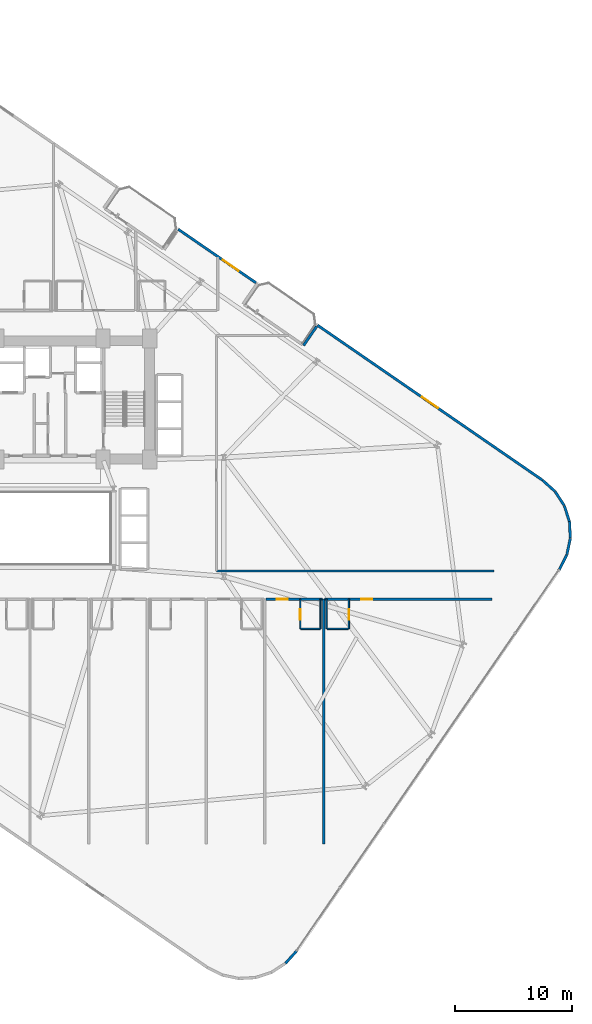
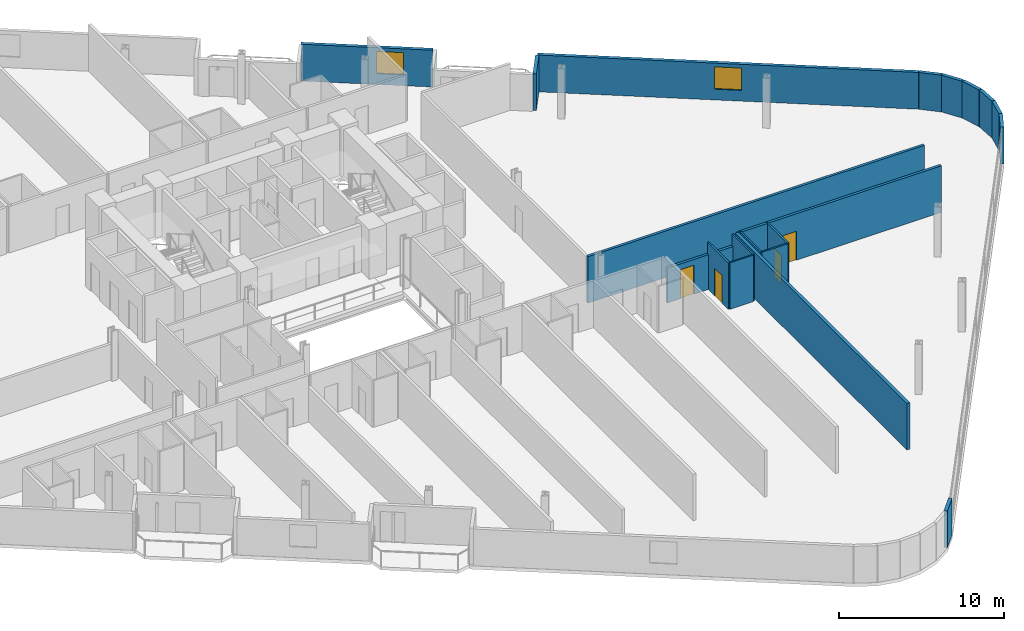
# One storey, part 21 of 25: 20 walls, 4 doors, 2 windows, 6 openings.
"""IFC4 building model written with IfcOpenShell, lengths in metres."""

import ifcopenshell
import ifcopenshell.guid

model = None  # the IFC model being written
_history = None  # IfcOwnerHistory: only IFC2X3 demands one
_inside = {}  # id of a spatial element -> (the spatial element, [elements in it])
_under = {}  # id of a project, library or spatial element -> (it, [spatial elements below it])
_declared = {}  # id of a project -> (the project, [libraries it declares])
_typed = {}  # id of a type object -> (the type object, [elements of that type])
_made_of = {}  # id of a material, layer set ... -> (it, [elements and type objects made of it])


def new_model(schema):
    """Start an empty IFC model of exactly this schema.

    Asked for "IFC4X3", IfcOpenShell would pick the latest addendum, in which some entities
    have other attributes; the version numbers below select the first issue.
    IFC2X3 requires an IfcOwnerHistory on every rooted entity: one is made here for all.
    """
    global model, _history
    if schema == "IFC4X3":
        model = ifcopenshell.file(schema_version=(4, 3, 0, 0))
    else:
        model = ifcopenshell.file(schema=schema)
    _inside.clear()
    _under.clear()
    _declared.clear()
    _typed.clear()
    _made_of.clear()
    _history = None
    if model.schema == "IFC2X3":
        org = make("IfcOrganization", Name="unknown")
        user = make(
            "IfcPersonAndOrganization",
            ThePerson=make("IfcPerson", FamilyName="unknown"),
            TheOrganization=org,
        )
        app = make(
            "IfcApplication",
            ApplicationDeveloper=org,
            Version="unknown",
            ApplicationFullName="unknown",
            ApplicationIdentifier="unknown",
        )
        _history = make(
            "IfcOwnerHistory",
            OwningUser=user,
            OwningApplication=app,
            ChangeAction="ADDED",
            CreationDate=0,
        )
    return model


def make(cls, **values):
    """One entity of the class cls with the attributes given. An attribute that is None is left unset."""
    return model.create_entity(
        cls, **{name: value for name, value in values.items() if value is not None}
    )


def rooted(cls, **values):
    """An entity with a GlobalId (a new one), such as an element, a storey or a relation."""
    return make(cls, GlobalId=ifcopenshell.guid.new(), OwnerHistory=_history, **values)


def si_unit(unit_type, name, prefix=None):
    """IfcSIUnit, for example si_unit("LENGTHUNIT", "METRE", prefix="MILLI")."""
    return make("IfcSIUnit", UnitType=unit_type, Prefix=prefix, Name=name)


def assignment(units):
    """IfcUnitAssignment: the units of a project."""
    return None if units is None else make("IfcUnitAssignment", Units=units)


def point(xyz):
    """IfcCartesianPoint."""
    return None if xyz is None else make("IfcCartesianPoint", Coordinates=xyz)


def direction(xyz):
    """IfcDirection."""
    return None if xyz is None else make("IfcDirection", DirectionRatios=xyz)


def frame(location, z_axis=None, x_axis=None):
    """IfcAxis2Placement3D, a coordinate frame: its origin and axes. An axis left out is left unset."""
    return make(
        "IfcAxis2Placement3D",
        Location=point(location),
        Axis=direction(z_axis),
        RefDirection=direction(x_axis),
    )


def frame_2d(location, x_axis=None):
    """IfcAxis2Placement2D, a coordinate frame in the plane: its origin and x axis."""
    return make(
        "IfcAxis2Placement2D", Location=point(location), RefDirection=direction(x_axis)
    )


def origin():
    """The frame at (0, 0, 0) with its axes left unset."""
    return frame((0.0, 0.0, 0.0))


def place(relative_to, where):
    """IfcLocalPlacement: puts the frame where relative to a parent placement (None: the world)."""
    return make(
        "IfcLocalPlacement", PlacementRelTo=relative_to, RelativePlacement=where
    )


def context(
    kind, dimensions, precision=None, world=None, true_north=None, identifier=None
):
    """IfcGeometricRepresentationContext, for example the 3D "Model" context."""
    return make(
        "IfcGeometricRepresentationContext",
        ContextIdentifier=identifier,
        ContextType=kind,
        CoordinateSpaceDimension=dimensions,
        Precision=precision,
        WorldCoordinateSystem=world,
        TrueNorth=true_north,
    )


def subcontext(parent, identifier, kind, view, scale=None):
    """IfcGeometricRepresentationSubContext, for example "Body" below "Model"."""
    return make(
        "IfcGeometricRepresentationSubContext",
        ContextIdentifier=identifier,
        ContextType=kind,
        ParentContext=parent,
        TargetScale=scale,
        TargetView=view,
    )


def project(units=None, contexts=None):
    """IfcProject with its units and contexts."""
    return rooted(
        "IfcProject",
        Name="project",
        RepresentationContexts=contexts,
        UnitsInContext=assignment(units),
    )


def spatial(cls, under=None, at=None, **own):
    """A site, building, storey or space (cls), placed at a placement, below another one or the project."""
    s = rooted(cls, ObjectPlacement=at, **own)
    if under is not None:
        _under.setdefault(under.id(), (under, []))[1].append(s)
    return s


def profile(cls, at=None, kind="AREA", **sizes):
    """A parametric profile (cls). Its sizes go by their IFC names, for example OverallWidth=200.0."""
    return make(cls, ProfileType=kind, Position=at, **sizes)


def rectangle(**sizes):
    """IfcRectangleProfileDef."""
    return profile("IfcRectangleProfileDef", **sizes)


def extrude(swept, where, along, depth):
    """IfcExtrudedAreaSolid: the profile swept, set in the frame where, extruded along a direction by depth."""
    return make(
        "IfcExtrudedAreaSolid",
        SweptArea=swept,
        Position=where,
        ExtrudedDirection=direction(along),
        Depth=depth,
    )


def shape(context_of_items, identifier, shape_type, items):
    """IfcShapeRepresentation: the items that make up one representation, for example the "Body"."""
    return make(
        "IfcShapeRepresentation",
        ContextOfItems=context_of_items,
        RepresentationIdentifier=identifier,
        RepresentationType=shape_type,
        Items=items,
    )


def material(Name=None, Category=None):
    """IfcMaterial."""
    return make("IfcMaterial", Name=Name, Category=Category)


def layer(
    of_material, thickness, ventilated=None, Name=None, Category=None, Priority=None
):
    """IfcMaterialLayer: one layer of a wall or slab, of a material (None: an air gap)."""
    return make(
        "IfcMaterialLayer",
        Material=of_material,
        LayerThickness=thickness,
        IsVentilated=ventilated,
        Name=Name,
        Category=Category,
        Priority=Priority,
    )


def layer_set(layers, Name=None):
    """IfcMaterialLayerSet."""
    return make("IfcMaterialLayerSet", MaterialLayers=layers, LayerSetName=Name)


def made_of(thing, what):
    """Note that an element or type object is made of a material, layer set ...; save() writes the relation."""
    if what is not None:
        _made_of.setdefault(what.id(), (what, []))[1].append(thing)
    return thing


def type_object(cls, material=None, **own):
    """A type object (cls), such as IfcWallType, which elements share."""
    return made_of(rooted(cls, **own), material)


def element(
    cls,
    number,
    at=None,
    inside=None,
    cuts=None,
    type_object=None,
    material=None,
    context=None,
    identifier="Body",
    shape_type=None,
    held_by="IfcProductDefinitionShape",
    body=None,
    shapes=None,
    **own,
):
    """One element of the class cls, such as IfcWall. Its Tag is "e" and its number.

    at: its placement. inside: the storey or other place that contains it. cuts: it is an
    opening in that element (IfcRelVoidsElement). A single representation is given by context,
    identifier, shape_type and body (its items); several are given by shapes. held_by: the class
    of the entity that holds the representations. save() writes the other relations.
    """
    e = rooted(cls, Tag="e%d" % number, ObjectPlacement=at, **own)
    if body is not None:
        shapes = [shape(context, identifier, shape_type, body)]
    if shapes is not None:
        e.Representation = make(held_by, Representations=shapes)
    if inside is not None:
        _inside.setdefault(inside.id(), (inside, []))[1].append(e)
    if cuts is not None:
        rooted(
            "IfcRelVoidsElement", RelatingBuildingElement=cuts, RelatedOpeningElement=e
        )
    if type_object is not None:
        _typed.setdefault(type_object.id(), (type_object, []))[1].append(e)
    return made_of(e, material)


def fill(opening, filler):
    """IfcRelFillsElement: the door or window that sits in an opening."""
    return rooted(
        "IfcRelFillsElement",
        RelatingOpeningElement=opening,
        RelatedBuildingElement=filler,
    )


def aggregate(whole, parts):
    """IfcRelAggregates: a whole, such as a stair, and the parts it consists of."""
    return rooted("IfcRelAggregates", RelatingObject=whole, RelatedObjects=parts)


def save(model, path):
    """Write the relations noted so far, then the file.

    IfcRelAggregates (storeys below a building ...), IfcRelContainedInSpatialStructure (elements
    in a storey), IfcRelDefinesByType, IfcRelAssociatesMaterial and IfcRelDeclares: one each for
    every whole, place, type object, material and project.
    """
    for whole, parts in _under.values():
        aggregate(whole, parts)
    for where, things in _inside.values():
        rooted(
            "IfcRelContainedInSpatialStructure",
            RelatedElements=things,
            RelatingStructure=where,
        )
    for kind, things in _typed.values():
        rooted("IfcRelDefinesByType", RelatedObjects=things, RelatingType=kind)
    for what, things in _made_of.values():
        rooted("IfcRelAssociatesMaterial", RelatedObjects=things, RelatingMaterial=what)
    for by, libraries in _declared.values():
        rooted("IfcRelDeclares", RelatingContext=by, RelatedDefinitions=libraries)
    model.write(path)


model = new_model("IFC4")

# Units and contexts
model_context = context("Model", 3, precision=1e-05, world=origin(), true_north=direction((0.0, 1.0)))
body_context = subcontext(model_context, "Body", "Model", "MODEL_VIEW")
ifc_project = project(units=[si_unit("LENGTHUNIT", "METRE"), si_unit("AREAUNIT", "SQUARE_METRE"), si_unit("VOLUMEUNIT", "CUBIC_METRE"), si_unit("PLANEANGLEUNIT", "RADIAN"), si_unit("MASSUNIT", "GRAM", prefix="KILO")], contexts=[model_context])

# Site, building, storey
site_placement = place(None, origin())
site = spatial("IfcSite", under=ifc_project, at=site_placement, CompositionType="ELEMENT")
building_placement = place(site_placement, origin())
building = spatial("IfcBuilding", under=site, at=building_placement, Name="Varnelok Gate Tower", CompositionType="ELEMENT")
storey_placement = place(building_placement, frame((0.0, 0.0, 34.39990234375)))
storey = spatial("IfcBuildingStorey", under=building, at=storey_placement, Name="L07", CompositionType="ELEMENT", Elevation=34.39990234375)

# Walls
ifc_material_1 = material(Name="Concrete C45/55", Category="concrete")
ifc_layer_1 = layer(ifc_material_1, 0.219970703125)
ifc_layer_set_1 = layer_set([ifc_layer_1], Name="Concrete C45/55")
wall_type_1 = type_object("IfcWallType", Name="EW-BALC-220", PredefinedType="SOLIDWALL", material=ifc_layer_set_1)
wall_1_placement = place(storey_placement, frame((59.26611328125, -14.13525390625, 0.0), z_axis=(0.0, 0.0, 1.0), x_axis=(0.669866433955, 0.742481623113, 0.0)))
element("IfcWall", 1, at=wall_1_placement, inside=storey, type_object=wall_type_1, Name="L07 Perimeter Facade Closure Wall 19", PredefinedType="SOLIDWALL", context=body_context, shape_type="SweptSolid", body=[
    extrude(rectangle(XDim=1.4052734375, YDim=0.219970703125, at=frame_2d((0.70263671875, 0.0))), origin(), (0.0, 0.0, 1.0), 2.72998046875),
])
wall_2_placement = place(storey_placement, frame((82.55810546875, 19.355224609375, 0.0), z_axis=(0.0, 0.0, 1.0), x_axis=(0.454777156549, 0.890605264908, 0.0)))
element("IfcWall", 2, at=wall_2_placement, inside=storey, type_object=wall_type_1, Name="L07 Perimeter Facade Closure Wall 20", PredefinedType="SOLIDWALL", context=body_context, shape_type="SweptSolid", body=[
    extrude(rectangle(XDim=1.43017578125, YDim=0.219970703125, at=frame_2d((0.715087890625, 0.0))), origin(), (0.0, 0.0, 1.0), 2.72998046875),
])
wall_3_placement = place(storey_placement, frame((83.2138671875, 20.653564453125, 0.0), z_axis=(0.0, 0.0, 1.0), x_axis=(0.208829011645, 0.977952168511, 0.0)))
element("IfcWall", 3, at=wall_3_placement, inside=storey, type_object=wall_type_1, Name="L07 Perimeter Facade Closure Wall 21", PredefinedType="SOLIDWALL", context=body_context, shape_type="SweptSolid", body=[
    extrude(rectangle(XDim=1.4052734375, YDim=0.219970703125, at=frame_2d((0.70263671875, 0.0))), origin(), (0.0, 0.0, 1.0), 2.72998046875),
])
wall_4_placement = place(storey_placement, frame((83.506103515625, 22.052734375, 0.0), z_axis=(0.0, 0.0, 1.0), x_axis=(-0.051245849735, 0.998686068234, 0.0)))
element("IfcWall", 4, at=wall_4_placement, inside=storey, type_object=wall_type_1, Name="L07 Perimeter Facade Closure Wall 22", PredefinedType="SOLIDWALL", context=body_context, shape_type="SweptSolid", body=[
    extrude(rectangle(XDim=1.405517578125, YDim=0.219970703125, at=frame_2d((0.70263671875, 0.0))), origin(), (0.0, 0.0, 1.0), 2.72998046875),
])
for number, where, z_axis, x_axis, name in (
    (5, (83.426513671875, 23.47998046875, 0.0), (0.0, 0.0, 1.0), (-0.308033059501, 0.951375653596, 0.0), "L07 Perimeter Facade Closure Wall 23"),
    (6, (82.97998046875, 24.837890625, 0.0), (0.0, 0.0, 1.0), (-0.543748195851, 0.839248413468, 0.0), "L07 Perimeter Facade Closure Wall 24"),
):
    element("IfcWall", number, at=place(storey_placement, frame(where, z_axis=z_axis, x_axis=x_axis)), inside=storey, type_object=wall_type_1, Name=name, PredefinedType="SOLIDWALL", context=body_context, shape_type="SweptSolid", body=[
        extrude(rectangle(XDim=1.4052734375, YDim=0.219970703125, at=frame_2d((0.70263671875, 0.0))), origin(), (0.0, 0.0, 1.0), 2.72998046875),
    ])
wall_5_placement = place(storey_placement, frame((82.197265625, 26.033935546875, 0.0), z_axis=(0.0, 0.0, 1.0), x_axis=(-0.742374254638, 0.669985422268, 0.0)))
element("IfcWall", 7, at=wall_5_placement, inside=storey, type_object=wall_type_1, Name="L07 Perimeter Facade Closure Wall 25", PredefinedType="SOLIDWALL", context=body_context, shape_type="SweptSolid", body=[
    extrude(rectangle(XDim=1.4130859375, YDim=0.219970703125, at=frame_2d((0.70654296875, 0.0))), origin(), (0.0, 0.0, 1.0), 2.72998046875),
])

# Wall, opening, window
wall_6_placement = place(storey_placement, frame((81.12744140625, 26.994873046875, 0.0), z_axis=(0.0, 0.0, 1.0), x_axis=(-0.823530169317, 0.567272474411, 0.0)))
wall_6 = element("IfcWall", 8, at=wall_6_placement, inside=storey, type_object=wall_type_1, Name="L07 Perimeter Facade Closure Wall 26", PredefinedType="SOLIDWALL", context=body_context, shape_type="SweptSolid", body=[
    extrude(rectangle(XDim=23.247314453125, YDim=0.219970703125, at=frame_2d((11.62353515625, 0.0))), origin(), (0.0, 0.0, 1.0), 2.72998046875),
])
opening_1_placement = place(wall_6_placement, frame((10.798583984375, 0.0, 0.800048828125)))
opening_1 = element("IfcOpeningElement", 9, at=opening_1_placement, cuts=wall_6, Name="Opening WN3", PredefinedType="OPENING", context=body_context, shape_type="SweptSolid", body=[
    extrude(rectangle(XDim=1.64990234375, YDim=1.64990234375, at=frame_2d((0.824951171875, 0.824951171875))), frame((0.0, 0.119873046875, 0.0), z_axis=(0.0, -1.0, 0.0), x_axis=(1.0, 0.0, 0.0)), (0.0, 0.0, 1.0), 0.239990234375),
])
ifc_material_2 = material(Name="Low-E Laminated Double Glazing IGU", Category="glass")
window_type = type_object("IfcWindowType", Name="WN-HTL-1650", PartitioningType="SINGLE_PANEL", PredefinedType="WINDOW", material=ifc_material_2)
window_1_placement = place(opening_1_placement, origin())
window_1 = element("IfcWindow", 10, at=window_1_placement, inside=storey, type_object=window_type, Name="L07 Perimeter Vision Window 26", OverallHeight=1.64990234375, OverallWidth=1.64990234375, PartitioningType="SINGLE_PANEL", PredefinedType="WINDOW", context=body_context, shape_type="SweptSolid", body=[
    extrude(rectangle(XDim=1.64990234375, YDim=1.64990234375, at=frame_2d((0.824951171875, 0.824951171875))), frame((0.0, 0.030029296875, 0.0), z_axis=(0.0, -1.0, 0.0), x_axis=(1.0, 0.0, 0.0)), (0.0, 0.0, 1.0), 0.06005859375),
])
fill(opening_1, window_1)

# Wall
wall_7_placement = place(storey_placement, frame((61.91162109375, 40.079345703125, 0.0), z_axis=(0.0, 0.0, 1.0), x_axis=(-0.567189720735, -0.82358716642, 0.0)))
element("IfcWall", 11, at=wall_7_placement, inside=storey, type_object=wall_type_1, Name="L07 Perimeter Facade Closure Wall 27", PredefinedType="SOLIDWALL", context=body_context, shape_type="SweptSolid", body=[
    extrude(rectangle(XDim=1.974853515625, YDim=0.219970703125, at=frame_2d((0.9873046875, 0.0))), origin(), (0.0, 0.0, 1.0), 2.72998046875),
])

# Wall, opening, window
wall_8_placement = place(storey_placement, frame((56.740966796875, 43.79296875, 0.0), z_axis=(0.0, 0.0, 1.0), x_axis=(-0.823530942962, 0.56727135128, 0.0)))
wall_8 = element("IfcWall", 12, at=wall_8_placement, inside=storey, type_object=wall_type_1, Name="L07 Perimeter Facade Closure Wall 29", PredefinedType="SOLIDWALL", context=body_context, shape_type="SweptSolid", body=[
    extrude(rectangle(XDim=8.03515625, YDim=0.219970703125, at=frame_2d((4.017578125, 0.0))), origin(), (0.0, 0.0, 1.0), 2.72998046875),
])
opening_2_placement = place(wall_8_placement, frame((1.787841796875, 0.0, 0.800048828125)))
opening_2 = element("IfcOpeningElement", 13, at=opening_2_placement, cuts=wall_8, Name="Opening WN3", PredefinedType="OPENING", context=body_context, shape_type="SweptSolid", body=[
    extrude(rectangle(XDim=1.64990234375, YDim=1.64990234375, at=frame_2d((0.824951171875, 0.824951171875))), frame((0.0, 0.119873046875, 0.0), z_axis=(0.0, -1.0, 0.0), x_axis=(1.0, 0.0, 0.0)), (0.0, 0.0, 1.0), 0.239990234375),
])
window_2_placement = place(opening_2_placement, origin())
window_2 = element("IfcWindow", 14, at=window_2_placement, inside=storey, type_object=window_type, Name="L07 Perimeter Vision Window 29", OverallHeight=1.64990234375, OverallWidth=1.64990234375, PartitioningType="SINGLE_PANEL", PredefinedType="WINDOW", context=body_context, shape_type="SweptSolid", body=[
    extrude(rectangle(XDim=1.64990234375, YDim=1.64990234375, at=frame_2d((0.824951171875, 0.824951171875))), frame((0.0, 0.030029296875, 0.0), z_axis=(0.0, -1.0, 0.0), x_axis=(1.0, 0.0, 0.0)), (0.0, 0.0, 1.0), 0.06005859375),
])
fill(opening_2, window_2)

# Wall, opening, door
ifc_material_3 = material(Name="Gypsum Plasterboard Acoustic Partition", Category="gypsum")
ifc_layer_2 = layer(ifc_material_3, 0.179931640625)
ifc_layer_set_2 = layer_set([ifc_layer_2], Name="Gypsum Plasterboard Acoustic Partition")
wall_type_2 = type_object("IfcWallType", Name="PW-CORR-180", PredefinedType="PARTITIONING", material=ifc_layer_set_2)
wall_9_placement = place(storey_placement, frame((57.580078125, 16.85009765625, 0.0), z_axis=(0.0, 0.0, 1.0), x_axis=(1.0, 0.0, 0.0)))
wall_9 = element("IfcWall", 15, at=wall_9_placement, inside=storey, type_object=wall_type_2, Name="Interior Partition", PredefinedType="PARTITIONING", context=body_context, shape_type="SweptSolid", body=[
    extrude(rectangle(XDim=4.83984375, YDim=0.179931640625, at=frame_2d((2.419921875, 0.0))), origin(), (0.0, 0.0, 1.0), 2.580078125),
])
opening_3_placement = place(wall_9_placement, frame((0.92919921875, 0.0, 0.0)))
opening_3 = element("IfcOpeningElement", 16, at=opening_3_placement, cuts=wall_9, Name="Opening D-HT", PredefinedType="OPENING", context=body_context, shape_type="SweptSolid", body=[
    extrude(rectangle(XDim=0.949951171875, YDim=2.14990234375, at=frame_2d((0.47509765625, 1.074951171875))), frame((0.0, 0.099853515625, 0.0), z_axis=(0.0, -1.0, 0.0), x_axis=(1.0, 0.0, 0.0)), (0.0, 0.0, 1.0), 0.199951171875),
])
ifc_material_4 = material(Name="Engineered Hardwood Timber", Category="wood")
door_type_1 = type_object("IfcDoorType", Name="DR-HTL-950", OperationType="NOTDEFINED", PredefinedType="DOOR", material=ifc_material_4)
door_1_placement = place(opening_3_placement, origin())
door_1 = element("IfcDoor", 17, at=door_1_placement, inside=storey, type_object=door_type_1, Name="L07 Guest Room 11 Entrance Door", OperationType="SINGLE_SWING_RIGHT", OverallHeight=2.14990234375, OverallWidth=0.949951171875, PredefinedType="DOOR", context=body_context, shape_type="SweptSolid", body=[
    extrude(rectangle(XDim=0.949951171875, YDim=2.14990234375, at=frame_2d((0.47509765625, 1.074951171875))), frame((0.0, 0.02490234375, 0.0), z_axis=(0.0, -1.0, 0.0), x_axis=(1.0, 0.0, 0.0)), (0.0, 0.0, 1.0), 0.050048828125),
])
fill(opening_3, door_1)

wall_10_placement = place(storey_placement, frame((62.580078125, 16.85009765625, 0.0), z_axis=(0.0, 0.0, 1.0), x_axis=(1.0, 0.0, 0.0)))
wall_10 = element("IfcWall", 18, at=wall_10_placement, inside=storey, type_object=wall_type_2, Name="Interior Partition", PredefinedType="PARTITIONING", context=body_context, shape_type="SweptSolid", body=[
    extrude(rectangle(XDim=14.239990234375, YDim=0.179931640625, at=frame_2d((7.1201171875, 0.0))), origin(), (0.0, 0.0, 1.0), 3.4501953125),
])
opening_4_placement = place(wall_10_placement, frame((3.110107421875, 0.0, 0.0)))
opening_4 = element("IfcOpeningElement", 19, at=opening_4_placement, cuts=wall_10, Name="Opening D-HT", PredefinedType="OPENING", context=body_context, shape_type="SweptSolid", body=[
    extrude(rectangle(XDim=0.949951171875, YDim=2.14990234375, at=frame_2d((0.47509765625, 1.074951171875))), frame((0.0, 0.099853515625, 0.0), z_axis=(0.0, -1.0, 0.0), x_axis=(1.0, 0.0, 0.0)), (0.0, 0.0, 1.0), 0.199951171875),
])
door_2_placement = place(opening_4_placement, origin())
door_2 = element("IfcDoor", 20, at=door_2_placement, inside=storey, type_object=door_type_1, Name="L07 Guest Room 12 Entrance Door", OperationType="SINGLE_SWING_LEFT", OverallHeight=2.14990234375, OverallWidth=0.949951171875, PredefinedType="DOOR", context=body_context, shape_type="SweptSolid", body=[
    extrude(rectangle(XDim=0.949951171875, YDim=2.14990234375, at=frame_2d((0.47509765625, 1.074951171875))), frame((0.0, 0.02490234375, 0.0), z_axis=(0.0, -1.0, 0.0), x_axis=(1.0, 0.0, 0.0)), (0.0, 0.0, 1.0), 0.050048828125),
])
fill(opening_4, door_2)

# Walls
wall_11_placement = place(storey_placement, frame((53.389892578125, 19.239990234375, 0.0), z_axis=(0.0, 0.0, 1.0), x_axis=(1.0, 0.0, 0.0)))
element("IfcWall", 21, at=wall_11_placement, inside=storey, type_object=wall_type_2, Name="Interior Partition", PredefinedType="PARTITIONING", context=body_context, shape_type="SweptSolid", body=[
    extrude(rectangle(XDim=23.610107421875, YDim=0.179931640625, at=frame_2d((11.80517578125, 0.0))), origin(), (0.0, 0.0, 1.0), 3.4501953125),
])
ifc_layer_3 = layer(ifc_material_3, 0.114990234375)
ifc_layer_set_3 = layer_set([ifc_layer_3], Name="Gypsum Plasterboard Acoustic Partition")
wall_type_3 = type_object("IfcWallType", Name="PW-ENS-125", PredefinedType="PARTITIONING", material=ifc_layer_set_3)
wall_12_placement = place(storey_placement, frame((60.550048828125, 14.330078125, 0.0), z_axis=(0.0, 0.0, 1.0), x_axis=(1.0, 0.0, 0.0)))
element("IfcWall", 22, at=wall_12_placement, inside=storey, type_object=wall_type_3, Name="Interior Partition", PredefinedType="PARTITIONING", context=body_context, shape_type="SweptSolid", body=[
    extrude(rectangle(XDim=1.64990234375, YDim=0.114990234375, at=frame_2d((0.824951171875, 0.0))), origin(), (0.0, 0.0, 1.0), 3.4501953125),
])

# Wall, opening, door
wall_13_placement = place(storey_placement, frame((60.510009765625, 14.330078125, 0.0), z_axis=(0.0, 0.0, 1.0), x_axis=(0.0, 1.0, 0.0)))
wall_13 = element("IfcWall", 23, at=wall_13_placement, inside=storey, type_object=wall_type_3, Name="Interior Partition", PredefinedType="PARTITIONING", context=body_context, shape_type="SweptSolid", body=[
    extrude(rectangle(XDim=2.52001953125, YDim=0.114990234375, at=frame_2d((1.260009765625, 0.0))), origin(), (0.0, 0.0, 1.0), 3.4501953125),
])
opening_5_placement = place(wall_13_placement, frame((0.760009765625, 0.0, 0.0)))
opening_5 = element("IfcOpeningElement", 24, at=opening_5_placement, cuts=wall_13, Name="Opening D-WC", PredefinedType="OPENING", context=body_context, shape_type="SweptSolid", body=[
    extrude(rectangle(XDim=0.89990234375, YDim=2.050048828125, at=frame_2d((0.449951171875, 1.02490234375))), frame((0.0, 0.0673828125, 0.0), z_axis=(0.0, -1.0, 0.0), x_axis=(1.0, 0.0, 0.0)), (0.0, 0.0, 1.0), 0.135009765625),
])
door_type_2 = type_object("IfcDoorType", Name="DR-BATH-900", OperationType="NOTDEFINED", PredefinedType="DOOR", material=ifc_material_4)
door_3_placement = place(opening_5_placement, origin())
door_3 = element("IfcDoor", 25, at=door_3_placement, inside=storey, type_object=door_type_2, Name="L07 Guest En-Suite 11 Door", OperationType="SINGLE_SWING_RIGHT", OverallHeight=2.050048828125, OverallWidth=0.89990234375, PredefinedType="DOOR", context=body_context, shape_type="SweptSolid", body=[
    extrude(rectangle(XDim=0.89990234375, YDim=2.050048828125, at=frame_2d((0.449951171875, 1.02490234375))), frame((0.0, 0.02490234375, 0.0), z_axis=(0.0, -1.0, 0.0), x_axis=(1.0, 0.0, 0.0)), (0.0, 0.0, 1.0), 0.050048828125),
])
fill(opening_5, door_3)

# Walls
wall_14_placement = place(storey_placement, frame((62.239990234375, 14.330078125, 0.0), z_axis=(0.0, 0.0, 1.0), x_axis=(0.0, 1.0, 0.0)))
element("IfcWall", 26, at=wall_14_placement, inside=storey, type_object=wall_type_3, Name="Interior Partition", PredefinedType="PARTITIONING", context=body_context, shape_type="SweptSolid", body=[
    extrude(rectangle(XDim=2.52001953125, YDim=0.114990234375, at=frame_2d((1.260009765625, 0.0))), origin(), (0.0, 0.0, 1.0), 3.4501953125),
])
wall_15_placement = place(storey_placement, frame((62.800048828125, 14.330078125, 0.0), z_axis=(0.0, 0.0, 1.0), x_axis=(1.0, 0.0, 0.0)))
element("IfcWall", 27, at=wall_15_placement, inside=storey, type_object=wall_type_3, Name="Interior Partition", PredefinedType="PARTITIONING", context=body_context, shape_type="SweptSolid", body=[
    extrude(rectangle(XDim=1.80712890625, YDim=0.114990234375, at=frame_2d((0.903564453125, 0.0))), origin(), (0.0, 0.0, 1.0), 3.4501953125),
])

# Wall, opening, door
wall_16_placement = place(storey_placement, frame((64.647216796875, 14.330078125, 0.0), z_axis=(0.0, 0.0, 1.0), x_axis=(0.0, 1.0, 0.0)))
wall_16 = element("IfcWall", 28, at=wall_16_placement, inside=storey, type_object=wall_type_3, Name="Interior Partition", PredefinedType="PARTITIONING", context=body_context, shape_type="SweptSolid", body=[
    extrude(rectangle(XDim=2.52001953125, YDim=0.114990234375, at=frame_2d((1.260009765625, 0.0))), origin(), (0.0, 0.0, 1.0), 3.4501953125),
])
opening_6_placement = place(wall_16_placement, frame((0.760009765625, 0.0, 0.0)))
opening_6 = element("IfcOpeningElement", 29, at=opening_6_placement, cuts=wall_16, Name="Opening D-WC", PredefinedType="OPENING", context=body_context, shape_type="SweptSolid", body=[
    extrude(rectangle(XDim=0.89990234375, YDim=2.050048828125, at=frame_2d((0.449951171875, 1.02490234375))), frame((0.0, 0.0673828125, 0.0), z_axis=(0.0, -1.0, 0.0), x_axis=(1.0, 0.0, 0.0)), (0.0, 0.0, 1.0), 0.135009765625),
])
door_4_placement = place(opening_6_placement, origin())
door_4 = element("IfcDoor", 30, at=door_4_placement, inside=storey, type_object=door_type_2, Name="L07 Guest En-Suite 12 Door", OperationType="SINGLE_SWING_LEFT", OverallHeight=2.050048828125, OverallWidth=0.89990234375, PredefinedType="DOOR", context=body_context, shape_type="SweptSolid", body=[
    extrude(rectangle(XDim=0.89990234375, YDim=2.050048828125, at=frame_2d((0.449951171875, 1.02490234375))), frame((0.0, 0.02490234375, 0.0), z_axis=(0.0, -1.0, 0.0), x_axis=(1.0, 0.0, 0.0)), (0.0, 0.0, 1.0), 0.050048828125),
])
fill(opening_6, door_4)

# Walls
wall_17_placement = place(storey_placement, frame((62.760009765625, 14.330078125, 0.0), z_axis=(0.0, 0.0, 1.0), x_axis=(0.0, 1.0, 0.0)))
element("IfcWall", 31, at=wall_17_placement, inside=storey, type_object=wall_type_3, Name="Interior Partition", PredefinedType="PARTITIONING", context=body_context, shape_type="SweptSolid", body=[
    extrude(rectangle(XDim=2.52001953125, YDim=0.114990234375, at=frame_2d((1.260009765625, 0.0))), origin(), (0.0, 0.0, 1.0), 3.4501953125),
])
ifc_layer_4 = layer(ifc_material_3, 0.205078125)
ifc_layer_set_4 = layer_set([ifc_layer_4], Name="Gypsum Plasterboard Acoustic Partition")
wall_type_4 = type_object("IfcWallType", Name="PW-PARTY-200", PredefinedType="PARTITIONING", material=ifc_layer_set_4)
wall_18_placement = place(storey_placement, frame((62.5, -4.0, 0.0), z_axis=(0.0, 0.0, 1.0), x_axis=(0.0, 1.0, 0.0)))
element("IfcWall", 32, at=wall_18_placement, inside=storey, type_object=wall_type_4, Name="L07 South Party Wall 11", PredefinedType="PARTITIONING", context=body_context, shape_type="SweptSolid", body=[
    extrude(rectangle(XDim=20.85009765625, YDim=0.205078125, at=frame_2d((10.425048828125, 0.0))), origin(), (0.0, 0.0, 1.0), 3.4501953125),
])

save(model, "model.ifc")
